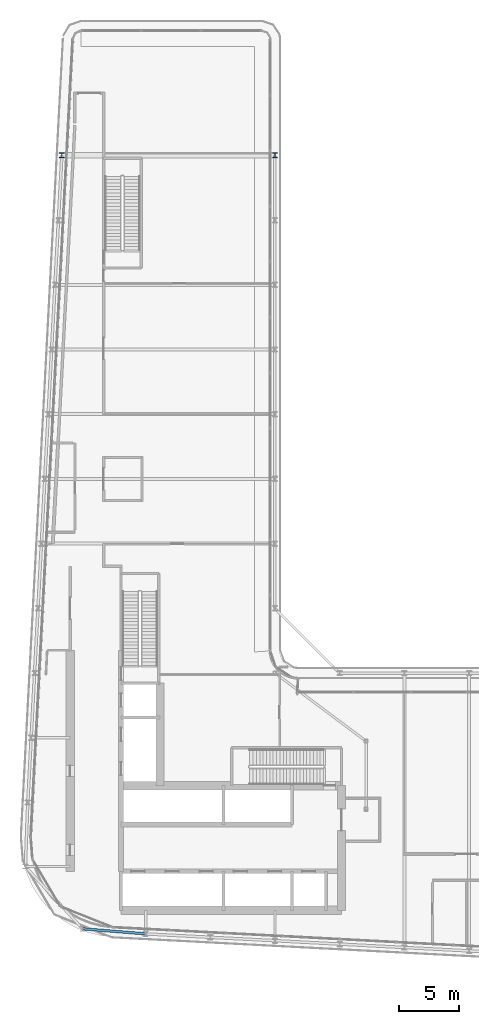
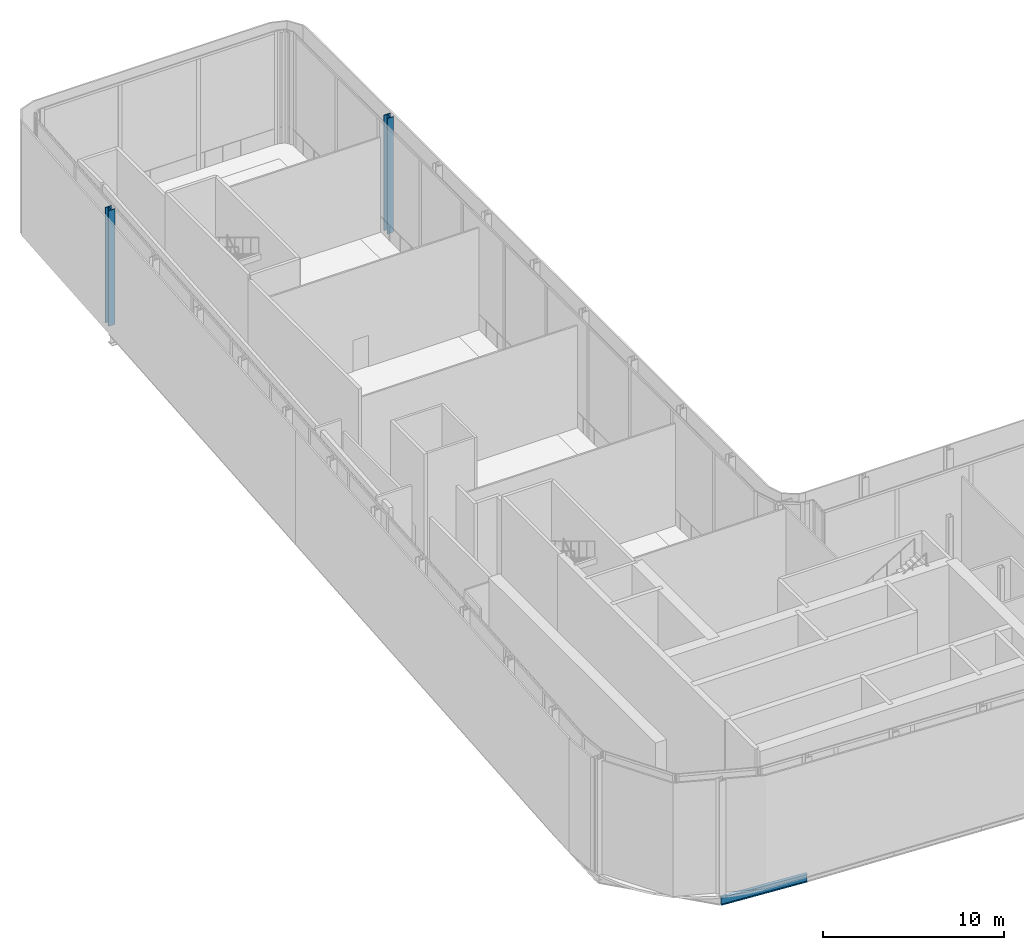
# One storey, part 5 of 38: 2 columns, 1 beam.
"""IFC4 building model written with IfcOpenShell, lengths in metres."""

from ifc_helpers import new_model, si_unit, direction, frame, origin, origin_2d, place, context, subcontext, project, spatial, i_section, extrude, material, material_profile, profile_set, type_object, element, save


model = new_model("IFC4")

# Units and contexts
model_context = context("Model", 3, precision=1e-05, world=origin(), true_north=direction((0.0, 1.0)))
body_context = subcontext(model_context, "Body", "Model", "MODEL_VIEW")
ifc_project = project(units=[si_unit("LENGTHUNIT", "METRE"), si_unit("AREAUNIT", "SQUARE_METRE"), si_unit("VOLUMEUNIT", "CUBIC_METRE"), si_unit("PLANEANGLEUNIT", "RADIAN"), si_unit("MASSUNIT", "GRAM", prefix="KILO")], contexts=[model_context])

# Site, building, storey
site_placement = place(None, origin())
site = spatial("IfcSite", under=ifc_project, at=site_placement, CompositionType="ELEMENT")
building_placement = place(site_placement, origin())
building = spatial("IfcBuilding", under=site, at=building_placement, Name="Kheshtan School and Residences Tower", CompositionType="ELEMENT")
storey_placement = place(building_placement, frame((0.0, 0.0, 203.300048828125)))
storey = spatial("IfcBuildingStorey", under=building, at=storey_placement, Name="L48", CompositionType="ELEMENT", Elevation=203.300048828125)

# Columns
ifc_material = material(Name="Steel ASTM A992 Grade 50", Category="steel")
ifc_material_profile_1 = material_profile(ifc_material, i_section(OverallWidth=0.404052734375, OverallDepth=0.406982421875, WebThickness=0.027099609375, FlangeThickness=0.043701171875, FilletRadius=0.01220703125, at=origin_2d()), Name="W360x347")
ifc_profile_set_1 = profile_set([ifc_material_profile_1], Name="Steel ASTM A992 Grade 50")
column_type = type_object("IfcColumnType", Name="Column C4 W360x347 ASTM A992 Grade 50", PredefinedType="COLUMN", material=ifc_profile_set_1)
for number, where, z_axis, x_axis, name in (
    (1, (29.81103515625, 88.800048828125, 0.0), (0.0, 0.0, 1.0), (1.0, 0.0, 0.0), "Column C098"),
    (2, (47.60009765625, 88.800048828125, 0.0), (0.0, 0.0, 1.0), (1.0, 0.0, 0.0), "Column C099"),
):
    element("IfcColumn", number, at=place(storey_placement, frame(where, z_axis=z_axis, x_axis=x_axis)), inside=storey, type_object=column_type, Name=name, PredefinedType="COLUMN", context=body_context, shape_type="SweptSolid", body=[
        extrude(i_section(OverallWidth=0.404052734375, OverallDepth=0.406982421875, WebThickness=0.027099609375, FlangeThickness=0.043701171875, FilletRadius=0.01220703125, at=origin_2d()), origin(), (0.0, 0.0, 1.0), 7.800048828125),
    ])

# Beam
ifc_material_profile_2 = material_profile(ifc_material, i_section(OverallWidth=0.208984375, OverallDepth=0.532958984375, WebThickness=0.01025390625, FlangeThickness=0.015625, FilletRadius=0.013916015625, at=origin_2d()), Name="W530x92")
ifc_profile_set_2 = profile_set([ifc_material_profile_2], Name="Steel ASTM A992 Grade 50")
beam_type = type_object("IfcBeamType", Name="Beam SP3 W530x92 ASTM A992 Grade 50", PredefinedType="BEAM", material=ifc_profile_set_2)
beam_placement = place(storey_placement, frame((36.800048828125, 23.83203125, -0.41650390625), z_axis=(-0.996748565693, 0.08057479003, 0.0), x_axis=(-0.08057479003, -0.996748565693, 0.0)))
element("IfcBeam", 3, at=beam_placement, inside=storey, type_object=beam_type, Name="Spandrel beam C022-C025", PredefinedType="BEAM", context=body_context, shape_type="SweptSolid", body=[
    extrude(i_section(OverallWidth=0.208984375, OverallDepth=0.532958984375, WebThickness=0.01025390625, FlangeThickness=0.015625, FilletRadius=0.013916015625, at=origin_2d()), origin(), (0.0, 0.0, 1.0), 5.275146484375),
])

save(model, "model.ifc")
